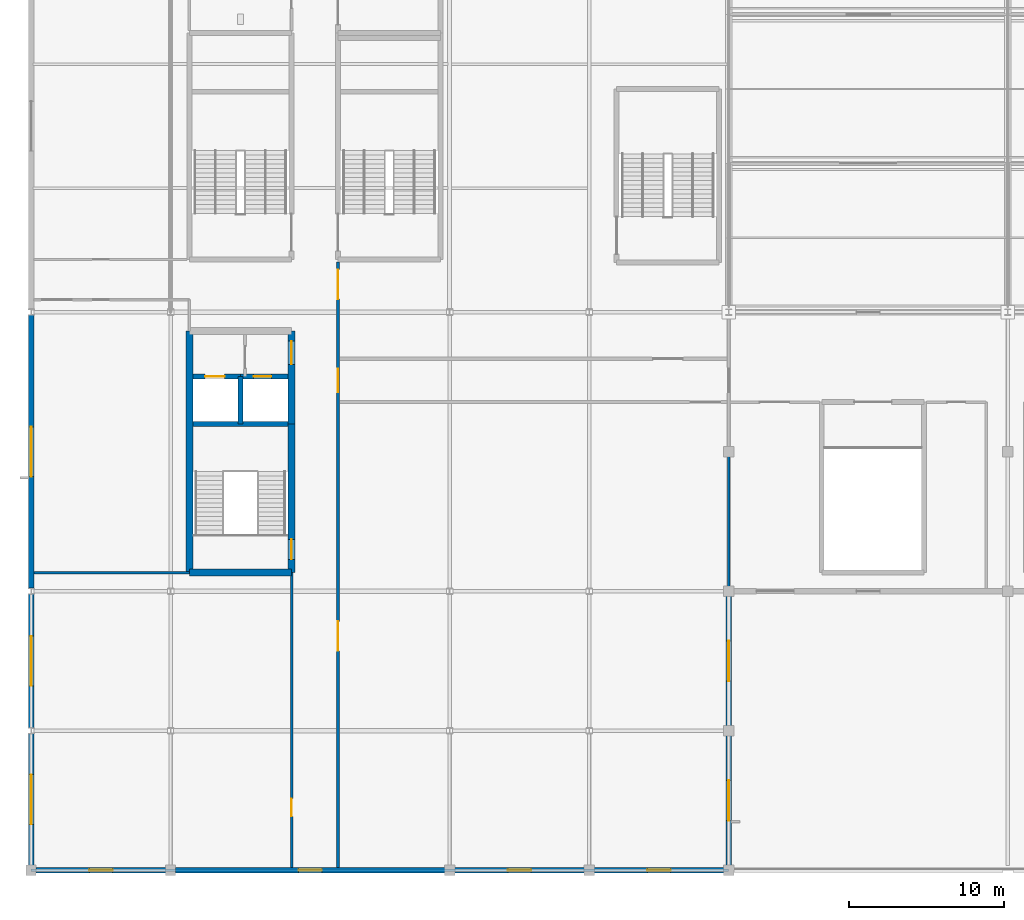
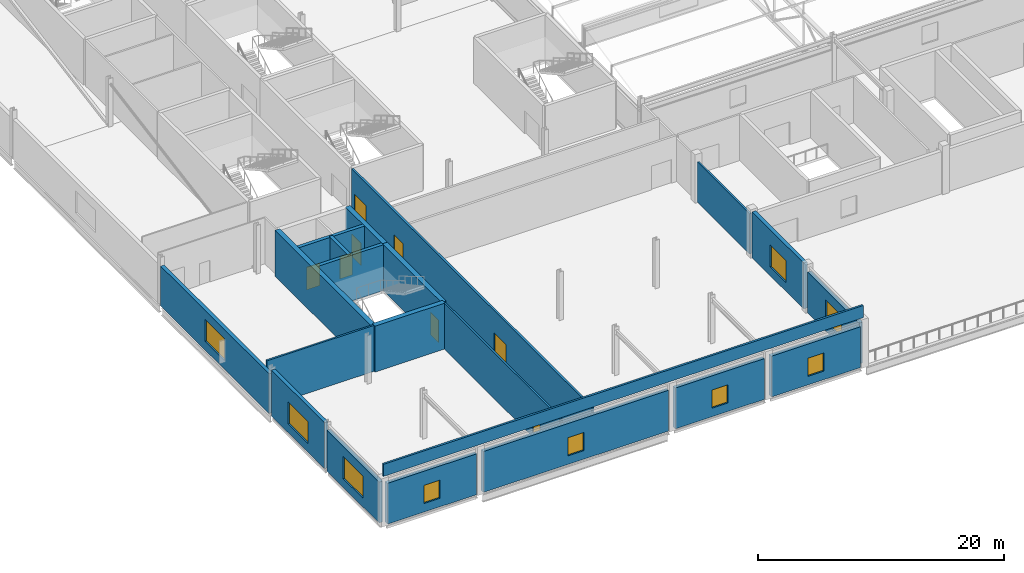
# One storey, part 94 of 136: 22 walls, 9 windows, 8 doors, 17 openings.
"""IFC4 building model written with IfcOpenShell, lengths in metres."""

import ifcopenshell
import ifcopenshell.guid

model = None  # the IFC model being written
_history = None  # IfcOwnerHistory: only IFC2X3 demands one
_inside = {}  # id of a spatial element -> (the spatial element, [elements in it])
_under = {}  # id of a project, library or spatial element -> (it, [spatial elements below it])
_declared = {}  # id of a project -> (the project, [libraries it declares])
_typed = {}  # id of a type object -> (the type object, [elements of that type])
_made_of = {}  # id of a material, layer set ... -> (it, [elements and type objects made of it])


def new_model(schema):
    """Start an empty IFC model of exactly this schema.

    Asked for "IFC4X3", IfcOpenShell would pick the latest addendum, in which some entities
    have other attributes; the version numbers below select the first issue.
    IFC2X3 requires an IfcOwnerHistory on every rooted entity: one is made here for all.
    """
    global model, _history
    if schema == "IFC4X3":
        model = ifcopenshell.file(schema_version=(4, 3, 0, 0))
    else:
        model = ifcopenshell.file(schema=schema)
    _inside.clear()
    _under.clear()
    _declared.clear()
    _typed.clear()
    _made_of.clear()
    _history = None
    if model.schema == "IFC2X3":
        org = make("IfcOrganization", Name="unknown")
        user = make(
            "IfcPersonAndOrganization",
            ThePerson=make("IfcPerson", FamilyName="unknown"),
            TheOrganization=org,
        )
        app = make(
            "IfcApplication",
            ApplicationDeveloper=org,
            Version="unknown",
            ApplicationFullName="unknown",
            ApplicationIdentifier="unknown",
        )
        _history = make(
            "IfcOwnerHistory",
            OwningUser=user,
            OwningApplication=app,
            ChangeAction="ADDED",
            CreationDate=0,
        )
    return model


def make(cls, **values):
    """One entity of the class cls with the attributes given. An attribute that is None is left unset."""
    return model.create_entity(
        cls, **{name: value for name, value in values.items() if value is not None}
    )


def rooted(cls, **values):
    """An entity with a GlobalId (a new one), such as an element, a storey or a relation."""
    return make(cls, GlobalId=ifcopenshell.guid.new(), OwnerHistory=_history, **values)


def si_unit(unit_type, name, prefix=None):
    """IfcSIUnit, for example si_unit("LENGTHUNIT", "METRE", prefix="MILLI")."""
    return make("IfcSIUnit", UnitType=unit_type, Prefix=prefix, Name=name)


def assignment(units):
    """IfcUnitAssignment: the units of a project."""
    return None if units is None else make("IfcUnitAssignment", Units=units)


def point(xyz):
    """IfcCartesianPoint."""
    return None if xyz is None else make("IfcCartesianPoint", Coordinates=xyz)


def direction(xyz):
    """IfcDirection."""
    return None if xyz is None else make("IfcDirection", DirectionRatios=xyz)


def frame(location, z_axis=None, x_axis=None):
    """IfcAxis2Placement3D, a coordinate frame: its origin and axes. An axis left out is left unset."""
    return make(
        "IfcAxis2Placement3D",
        Location=point(location),
        Axis=direction(z_axis),
        RefDirection=direction(x_axis),
    )


def frame_2d(location, x_axis=None):
    """IfcAxis2Placement2D, a coordinate frame in the plane: its origin and x axis."""
    return make(
        "IfcAxis2Placement2D", Location=point(location), RefDirection=direction(x_axis)
    )


def origin():
    """The frame at (0, 0, 0) with its axes left unset."""
    return frame((0.0, 0.0, 0.0))


def place(relative_to, where):
    """IfcLocalPlacement: puts the frame where relative to a parent placement (None: the world)."""
    return make(
        "IfcLocalPlacement", PlacementRelTo=relative_to, RelativePlacement=where
    )


def context(
    kind, dimensions, precision=None, world=None, true_north=None, identifier=None
):
    """IfcGeometricRepresentationContext, for example the 3D "Model" context."""
    return make(
        "IfcGeometricRepresentationContext",
        ContextIdentifier=identifier,
        ContextType=kind,
        CoordinateSpaceDimension=dimensions,
        Precision=precision,
        WorldCoordinateSystem=world,
        TrueNorth=true_north,
    )


def subcontext(parent, identifier, kind, view, scale=None):
    """IfcGeometricRepresentationSubContext, for example "Body" below "Model"."""
    return make(
        "IfcGeometricRepresentationSubContext",
        ContextIdentifier=identifier,
        ContextType=kind,
        ParentContext=parent,
        TargetScale=scale,
        TargetView=view,
    )


def project(units=None, contexts=None):
    """IfcProject with its units and contexts."""
    return rooted(
        "IfcProject",
        Name="project",
        RepresentationContexts=contexts,
        UnitsInContext=assignment(units),
    )


def spatial(cls, under=None, at=None, **own):
    """A site, building, storey or space (cls), placed at a placement, below another one or the project."""
    s = rooted(cls, ObjectPlacement=at, **own)
    if under is not None:
        _under.setdefault(under.id(), (under, []))[1].append(s)
    return s


def profile(cls, at=None, kind="AREA", **sizes):
    """A parametric profile (cls). Its sizes go by their IFC names, for example OverallWidth=200.0."""
    return make(cls, ProfileType=kind, Position=at, **sizes)


def rectangle(**sizes):
    """IfcRectangleProfileDef."""
    return profile("IfcRectangleProfileDef", **sizes)


def extrude(swept, where, along, depth):
    """IfcExtrudedAreaSolid: the profile swept, set in the frame where, extruded along a direction by depth."""
    return make(
        "IfcExtrudedAreaSolid",
        SweptArea=swept,
        Position=where,
        ExtrudedDirection=direction(along),
        Depth=depth,
    )


def shape(context_of_items, identifier, shape_type, items):
    """IfcShapeRepresentation: the items that make up one representation, for example the "Body"."""
    return make(
        "IfcShapeRepresentation",
        ContextOfItems=context_of_items,
        RepresentationIdentifier=identifier,
        RepresentationType=shape_type,
        Items=items,
    )


def material(Name=None, Category=None):
    """IfcMaterial."""
    return make("IfcMaterial", Name=Name, Category=Category)


def layer(
    of_material, thickness, ventilated=None, Name=None, Category=None, Priority=None
):
    """IfcMaterialLayer: one layer of a wall or slab, of a material (None: an air gap)."""
    return make(
        "IfcMaterialLayer",
        Material=of_material,
        LayerThickness=thickness,
        IsVentilated=ventilated,
        Name=Name,
        Category=Category,
        Priority=Priority,
    )


def layer_set(layers, Name=None):
    """IfcMaterialLayerSet."""
    return make("IfcMaterialLayerSet", MaterialLayers=layers, LayerSetName=Name)


def made_of(thing, what):
    """Note that an element or type object is made of a material, layer set ...; save() writes the relation."""
    if what is not None:
        _made_of.setdefault(what.id(), (what, []))[1].append(thing)
    return thing


def type_object(cls, material=None, **own):
    """A type object (cls), such as IfcWallType, which elements share."""
    return made_of(rooted(cls, **own), material)


def element(
    cls,
    number,
    at=None,
    inside=None,
    cuts=None,
    type_object=None,
    material=None,
    context=None,
    identifier="Body",
    shape_type=None,
    held_by="IfcProductDefinitionShape",
    body=None,
    shapes=None,
    **own,
):
    """One element of the class cls, such as IfcWall. Its Tag is "e" and its number.

    at: its placement. inside: the storey or other place that contains it. cuts: it is an
    opening in that element (IfcRelVoidsElement). A single representation is given by context,
    identifier, shape_type and body (its items); several are given by shapes. held_by: the class
    of the entity that holds the representations. save() writes the other relations.
    """
    e = rooted(cls, Tag="e%d" % number, ObjectPlacement=at, **own)
    if body is not None:
        shapes = [shape(context, identifier, shape_type, body)]
    if shapes is not None:
        e.Representation = make(held_by, Representations=shapes)
    if inside is not None:
        _inside.setdefault(inside.id(), (inside, []))[1].append(e)
    if cuts is not None:
        rooted(
            "IfcRelVoidsElement", RelatingBuildingElement=cuts, RelatedOpeningElement=e
        )
    if type_object is not None:
        _typed.setdefault(type_object.id(), (type_object, []))[1].append(e)
    return made_of(e, material)


def fill(opening, filler):
    """IfcRelFillsElement: the door or window that sits in an opening."""
    return rooted(
        "IfcRelFillsElement",
        RelatingOpeningElement=opening,
        RelatedBuildingElement=filler,
    )


def aggregate(whole, parts):
    """IfcRelAggregates: a whole, such as a stair, and the parts it consists of."""
    return rooted("IfcRelAggregates", RelatingObject=whole, RelatedObjects=parts)


def save(model, path):
    """Write the relations noted so far, then the file.

    IfcRelAggregates (storeys below a building ...), IfcRelContainedInSpatialStructure (elements
    in a storey), IfcRelDefinesByType, IfcRelAssociatesMaterial and IfcRelDeclares: one each for
    every whole, place, type object, material and project.
    """
    for whole, parts in _under.values():
        aggregate(whole, parts)
    for where, things in _inside.values():
        rooted(
            "IfcRelContainedInSpatialStructure",
            RelatedElements=things,
            RelatingStructure=where,
        )
    for kind, things in _typed.values():
        rooted("IfcRelDefinesByType", RelatedObjects=things, RelatingType=kind)
    for what, things in _made_of.values():
        rooted("IfcRelAssociatesMaterial", RelatedObjects=things, RelatingMaterial=what)
    for by, libraries in _declared.values():
        rooted("IfcRelDeclares", RelatingContext=by, RelatedDefinitions=libraries)
    model.write(path)


model = new_model("IFC4")

# Units and contexts
model_context = context("Model", 3, precision=1e-05, world=origin(), true_north=direction((0.0, 1.0)))
body_context = subcontext(model_context, "Body", "Model", "MODEL_VIEW")
ifc_project = project(units=[si_unit("LENGTHUNIT", "METRE"), si_unit("AREAUNIT", "SQUARE_METRE"), si_unit("VOLUMEUNIT", "CUBIC_METRE"), si_unit("PLANEANGLEUNIT", "RADIAN"), si_unit("MASSUNIT", "GRAM", prefix="KILO")], contexts=[model_context])

# Site, building, storey
site_placement = place(None, origin())
site = spatial("IfcSite", under=ifc_project, at=site_placement, CompositionType="ELEMENT")
building_placement = place(site_placement, origin())
building = spatial("IfcBuilding", under=site, at=building_placement, Name="Kisiwana Market Hall", CompositionType="ELEMENT")
storey_placement = place(building_placement, frame((0.0, 0.0, 16.800048828125)))
storey = spatial("IfcBuildingStorey", under=building, at=storey_placement, Name="L03", CompositionType="ELEMENT", Elevation=16.800048828125)

# Wall, openings, doors
ifc_material_1 = material(Name="Masonry blockwork", Category="masonry")
ifc_layer_1 = layer(ifc_material_1, 0.199951171875, Name="Plastered fire compartment block wall")
ifc_layer_set_1 = layer_set([ifc_layer_1], Name="WL-COMP-200")
wall_type_1 = type_object("IfcWallType", Name="WL-COMP-200", PredefinedType="PARTITIONING", material=ifc_layer_set_1)
wall_1_placement = place(storey_placement, frame((19.800048828125, 0.169921875, 0.0), z_axis=(0.0, 0.0, 1.0), x_axis=(0.0, 1.0, 0.0)))
wall_1 = element("IfcWall", 1, at=wall_1_placement, inside=storey, type_object=wall_type_1, Name="Interior partition W-1461", PredefinedType="PARTITIONING", context=body_context, shape_type="SweptSolid", body=[
    extrude(rectangle(XDim=39.070068359375, YDim=0.199951171875, at=frame_2d((19.53515625, 0.0))), origin(), (0.0, 0.0, 1.0), 4.554931640625),
])
opening_1_placement = place(wall_1_placement, frame((13.97998046875, 0.0, 0.0)))
opening_1 = element("IfcOpeningElement", 2, at=opening_1_placement, cuts=wall_1, Name="Opening DR-L03-054", PredefinedType="OPENING", context=body_context, shape_type="SweptSolid", body=[
    extrude(rectangle(XDim=1.89990234375, YDim=2.35009765625, at=frame_2d((0.949951171875, 1.175048828125))), frame((0.0, 0.11181640625, 0.0), z_axis=(0.0, -1.0, 0.0), x_axis=(1.0, 0.0, 0.0)), (0.0, 0.0, 1.0), 0.223876953125),
])
opening_2_placement = place(wall_1_placement, frame((30.679931640625, 0.0, 0.0)))
opening_2 = element("IfcOpeningElement", 3, at=opening_2_placement, cuts=wall_1, Name="Opening DR-L03-055", PredefinedType="OPENING", context=body_context, shape_type="SweptSolid", body=[
    extrude(rectangle(XDim=1.5, YDim=2.199951171875, at=frame_2d((0.75, 1.10009765625))), frame((0.0, 0.11181640625, 0.0), z_axis=(0.0, -1.0, 0.0), x_axis=(1.0, 0.0, 0.0)), (0.0, 0.0, 1.0), 0.223876953125),
])
opening_3_placement = place(wall_1_placement, frame((36.679931640625, 0.0, 0.0)))
opening_3 = element("IfcOpeningElement", 4, at=opening_3_placement, cuts=wall_1, Name="Opening DR-L03-056", PredefinedType="OPENING", context=body_context, shape_type="SweptSolid", body=[
    extrude(rectangle(XDim=1.89990234375, YDim=2.35009765625, at=frame_2d((0.949951171875, 1.175048828125))), frame((0.0, 0.11181640625, 0.0), z_axis=(0.0, -1.0, 0.0), x_axis=(1.0, 0.0, 0.0)), (0.0, 0.0, 1.0), 0.223876953125),
])
ifc_material_2 = material(Name="Steel S275", Category="steel")
door_type_1 = type_object("IfcDoorType", Name="DR-CORR-FD60-1500", OperationType="DOUBLE_DOOR_SINGLE_SWING", PredefinedType="DOOR", material=ifc_material_2)
door_1_placement = place(opening_2_placement, origin())
door_1 = element("IfcDoor", 5, at=door_1_placement, inside=storey, type_object=door_type_1, Name="L03 W South Podium Link Corridor Door", OperationType="DOUBLE_DOOR_SINGLE_SWING", OverallHeight=2.199951171875, OverallWidth=1.5, PredefinedType="DOOR", context=body_context, shape_type="SweptSolid", body=[
    extrude(rectangle(XDim=1.5, YDim=2.199951171875, at=frame_2d((0.75, 1.10009765625))), frame((0.0, 0.02490234375, 0.0), z_axis=(0.0, -1.0, 0.0), x_axis=(1.0, 0.0, 0.0)), (0.0, 0.0, 1.0), 0.050048828125),
])
fill(opening_2, door_1)
ifc_material_3 = material(Name="Steel S275", Category="steel")
door_type_2 = type_object("IfcDoorType", Name="DR-HALL-1900", OperationType="DOUBLE_DOOR_SINGLE_SWING", PredefinedType="DOOR", material=ifc_material_3)
door_2_placement = place(opening_1_placement, origin())
door_2 = element("IfcDoor", 6, at=door_2_placement, inside=storey, type_object=door_type_2, Name="L03 W Conference Pre-Function Foyer Door", OperationType="DOUBLE_DOOR_SINGLE_SWING", OverallHeight=2.35009765625, OverallWidth=1.89990234375, PredefinedType="DOOR", context=body_context, shape_type="SweptSolid", body=[
    extrude(rectangle(XDim=1.89990234375, YDim=2.35009765625, at=frame_2d((0.949951171875, 1.175048828125))), frame((0.0, 0.02490234375, 0.0), z_axis=(0.0, -1.0, 0.0), x_axis=(1.0, 0.0, 0.0)), (0.0, 0.0, 1.0), 0.050048828125),
])
fill(opening_1, door_2)
door_3_placement = place(opening_3_placement, frame((1.89990234375, 0.0, 0.0), z_axis=(0.0, 0.0, 1.0), x_axis=(-1.0, 0.0, 0.0)))
door_3 = element("IfcDoor", 7, at=door_3_placement, inside=storey, type_object=door_type_2, Name="L03 W Civic Conference Hall Exit Door", OperationType="DOUBLE_DOOR_SINGLE_SWING", OverallHeight=2.35009765625, OverallWidth=1.89990234375, PredefinedType="DOOR", context=body_context, shape_type="SweptSolid", body=[
    extrude(rectangle(XDim=1.89990234375, YDim=2.35009765625, at=frame_2d((0.949951171875, 1.175048828125))), frame((0.0, 0.02490234375, 0.0), z_axis=(0.0, -1.0, 0.0), x_axis=(1.0, 0.0, 0.0)), (0.0, 0.0, 1.0), 0.050048828125),
])
fill(opening_3, door_3)

# Walls
ifc_material_4 = material(Name="Concrete C40/50", Category="concrete")
ifc_layer_2 = layer(ifc_material_4, 0.320068359375, Name="Reinforced concrete shaft wall")
ifc_layer_set_2 = layer_set([ifc_layer_2], Name="WL-CORE-320")
wall_type_2 = type_object("IfcWallType", Name="WL-CORE-320", PredefinedType="SHEAR", material=ifc_layer_set_2)
wall_2_placement = place(storey_placement, frame((10.425048828125, 28.784912109375, 0.0), z_axis=(0.0, 0.0, 1.0), x_axis=(1.0, 0.0, 0.0)))
element("IfcWall", 8, at=wall_2_placement, inside=storey, type_object=wall_type_2, Name="Core W2 shaft back shear wall W-1189", PredefinedType="SHEAR", context=body_context, shape_type="SweptSolid", body=[
    extrude(rectangle(XDim=6.14990234375, YDim=0.320068359375, at=frame_2d((3.074951171875, 0.0))), origin(), (0.0, 0.0, 1.0), 4.554931640625),
])
wall_3_placement = place(storey_placement, frame((13.5, 28.784912109375, 0.0), z_axis=(0.0, 0.0, 1.0), x_axis=(0.0, 1.0, 0.0)))
element("IfcWall", 9, at=wall_3_placement, inside=storey, type_object=wall_type_2, Name="Core W2 inter-shaft shear wall W-1190", PredefinedType="SHEAR", context=body_context, shape_type="SweptSolid", body=[
    extrude(rectangle(XDim=3.06005859375, YDim=0.320068359375, at=frame_2d((1.530029296875, 0.0))), origin(), (0.0, 0.0, 1.0), 4.554931640625),
])

# Wall, opening, door
wall_4_placement = place(storey_placement, frame((10.425048828125, 31.844970703125, 0.0), z_axis=(0.0, 0.0, 1.0), x_axis=(1.0, 0.0, 0.0)))
wall_4 = element("IfcWall", 10, at=wall_4_placement, inside=storey, type_object=wall_type_2, Name="Core W2 west lift front wall W-1191", PredefinedType="SHEAR", context=body_context, shape_type="SweptSolid", body=[
    extrude(rectangle(XDim=3.074951171875, YDim=0.320068359375, at=frame_2d((1.53759765625, 0.0))), origin(), (0.0, 0.0, 1.0), 4.554931640625),
])
opening_4_placement = place(wall_4_placement, frame((0.800048828125, 0.0, 0.0)))
opening_4 = element("IfcOpeningElement", 11, at=opening_4_placement, cuts=wall_4, Name="Opening LD-L03-001", PredefinedType="OPENING", context=body_context, shape_type="SweptSolid", body=[
    extrude(rectangle(XDim=1.25, YDim=2.25, at=frame_2d((0.625, 1.125))), frame((0.0, 0.171875, 0.0), z_axis=(0.0, -1.0, 0.0), x_axis=(1.0, 0.0, 0.0)), (0.0, 0.0, 1.0), 0.343994140625),
])
ifc_material_5 = material(Name="Steel S275", Category="steel")
door_type_3 = type_object("IfcDoorType", Name="DR-LIFT-FFL-1250", OperationType="DOUBLE_DOOR_SLIDING", PredefinedType="DOOR", material=ifc_material_5)
door_4_placement = place(opening_4_placement, origin())
door_4 = element("IfcDoor", 12, at=door_4_placement, inside=storey, type_object=door_type_3, Name="Lift Landing Door FFL-01 (L03)", OperationType="DOUBLE_DOOR_SLIDING", OverallHeight=2.25, OverallWidth=1.25, PredefinedType="DOOR", context=body_context, shape_type="SweptSolid", body=[
    extrude(rectangle(XDim=1.25, YDim=2.25, at=frame_2d((0.625, 1.125))), frame((0.0, 0.02490234375, 0.0), z_axis=(0.0, -1.0, 0.0), x_axis=(1.0, 0.0, 0.0)), (0.0, 0.0, 1.0), 0.050048828125),
])
fill(opening_4, door_4)

wall_5_placement = place(storey_placement, frame((13.5, 31.844970703125, 0.0), z_axis=(0.0, 0.0, 1.0), x_axis=(1.0, 0.0, 0.0)))
wall_5 = element("IfcWall", 13, at=wall_5_placement, inside=storey, type_object=wall_type_2, Name="Core W2 east lift front wall W-1192", PredefinedType="SHEAR", context=body_context, shape_type="SweptSolid", body=[
    extrude(rectangle(XDim=3.074951171875, YDim=0.320068359375, at=frame_2d((1.53759765625, 0.0))), origin(), (0.0, 0.0, 1.0), 4.554931640625),
])
opening_5_placement = place(wall_5_placement, frame((0.85009765625, 0.0, 0.0)))
opening_5 = element("IfcOpeningElement", 14, at=opening_5_placement, cuts=wall_5, Name="Opening LD-L03-002", PredefinedType="OPENING", context=body_context, shape_type="SweptSolid", body=[
    extrude(rectangle(XDim=1.14990234375, YDim=2.199951171875, at=frame_2d((0.574951171875, 1.10009765625))), frame((0.0, 0.171875, 0.0), z_axis=(0.0, -1.0, 0.0), x_axis=(1.0, 0.0, 0.0)), (0.0, 0.0, 1.0), 0.343994140625),
])
ifc_material_6 = material(Name="Steel S275", Category="steel")
door_type_4 = type_object("IfcDoorType", Name="DR-LIFT-PAX-1150", OperationType="DOUBLE_DOOR_SLIDING", PredefinedType="DOOR", material=ifc_material_6)
door_5_placement = place(opening_5_placement, origin())
door_5 = element("IfcDoor", 15, at=door_5_placement, inside=storey, type_object=door_type_4, Name="Lift Landing Door LP-01 (L03)", OperationType="DOUBLE_DOOR_SLIDING", OverallHeight=2.199951171875, OverallWidth=1.14990234375, PredefinedType="DOOR", context=body_context, shape_type="SweptSolid", body=[
    extrude(rectangle(XDim=1.14990234375, YDim=2.199951171875, at=frame_2d((0.574951171875, 1.10009765625))), frame((0.0, 0.02490234375, 0.0), z_axis=(0.0, -1.0, 0.0), x_axis=(1.0, 0.0, 0.0)), (0.0, 0.0, 1.0), 0.050048828125),
])
fill(opening_5, door_5)

# Walls
ifc_material_7 = material(Name="Concrete C40/50", Category="concrete")
ifc_layer_3 = layer(ifc_material_7, 0.449951171875, Name="Reinforced concrete core wall")
ifc_layer_set_3 = layer_set([ifc_layer_3], Name="WL-CORE-450")
wall_type_3 = type_object("IfcWallType", Name="WL-CORE-450", PredefinedType="SHEAR", material=ifc_layer_set_3)
wall_6_placement = place(storey_placement, frame((10.199951171875, 19.199951171875, 0.0), z_axis=(0.0, 0.0, 1.0), x_axis=(1.0, 0.0, 0.0)))
element("IfcWall", 16, at=wall_6_placement, inside=storey, type_object=wall_type_3, Name="Core W2 south shear wall W-1184", PredefinedType="SHEAR", context=body_context, shape_type="SweptSolid", body=[
    extrude(rectangle(XDim=6.60009765625, YDim=0.449951171875, at=frame_2d((3.300048828125, 0.0))), origin(), (0.0, 0.0, 1.0), 4.554931640625),
])
wall_7_placement = place(storey_placement, frame((10.199951171875, 19.199951171875, 0.0), z_axis=(0.0, 0.0, 1.0), x_axis=(0.0, 1.0, 0.0)))
element("IfcWall", 17, at=wall_7_placement, inside=storey, type_object=wall_type_3, Name="Core W2 outer shear wall W-1186", PredefinedType="SHEAR", context=body_context, shape_type="SweptSolid", body=[
    extrude(rectangle(XDim=15.60009765625, YDim=0.449951171875, at=frame_2d((7.800048828125, 0.0))), origin(), (0.0, 0.0, 1.0), 4.554931640625),
])

# Wall, opening, door
wall_8_placement = place(storey_placement, frame((16.800048828125, 19.199951171875, 0.0), z_axis=(0.0, 0.0, 1.0), x_axis=(0.0, 1.0, 0.0)))
wall_8 = element("IfcWall", 18, at=wall_8_placement, inside=storey, type_object=wall_type_3, Name="Core W2 stair corridor shear wall W-1187", PredefinedType="SHEAR", context=body_context, shape_type="SweptSolid", body=[
    extrude(rectangle(XDim=9.5849609375, YDim=0.449951171875, at=frame_2d((4.79248046875, 0.0))), origin(), (0.0, 0.0, 1.0), 4.554931640625),
])
opening_6_placement = place(wall_8_placement, frame((0.85009765625, 0.0, 0.0)))
opening_6 = element("IfcOpeningElement", 19, at=opening_6_placement, cuts=wall_8, Name="Opening DR-L03-001", PredefinedType="OPENING", context=body_context, shape_type="SweptSolid", body=[
    extrude(rectangle(XDim=1.300048828125, YDim=2.199951171875, at=frame_2d((0.64990234375, 1.10009765625))), frame((0.0, 0.23681640625, 0.0), z_axis=(0.0, -1.0, 0.0), x_axis=(1.0, 0.0, 0.0)), (0.0, 0.0, 1.0), 0.473876953125),
])
ifc_material_8 = material(Name="Steel S275", Category="steel")
door_type_5 = type_object("IfcDoorType", Name="DR-STAIR-FD120-1300", OperationType="NOTDEFINED", PredefinedType="DOOR", material=ifc_material_8)
door_6_placement = place(opening_6_placement, origin())
door_6 = element("IfcDoor", 20, at=door_6_placement, inside=storey, type_object=door_type_5, Name="Escape Stair W2 Fire Door (L03)", OperationType="SINGLE_SWING_LEFT", OverallHeight=2.199951171875, OverallWidth=1.300048828125, PredefinedType="DOOR", context=body_context, shape_type="SweptSolid", body=[
    extrude(rectangle(XDim=1.300048828125, YDim=2.199951171875, at=frame_2d((0.64990234375, 1.10009765625))), frame((0.0, 0.02490234375, 0.0), z_axis=(0.0, -1.0, 0.0), x_axis=(1.0, 0.0, 0.0)), (0.0, 0.0, 1.0), 0.050048828125),
])
fill(opening_6, door_6)

wall_9_placement = place(storey_placement, frame((16.800048828125, 28.784912109375, 0.0), z_axis=(0.0, 0.0, 1.0), x_axis=(0.0, 1.0, 0.0)))
wall_9 = element("IfcWall", 21, at=wall_9_placement, inside=storey, type_object=wall_type_3, Name="Core W2 lobby corridor shear wall W-1188", PredefinedType="SHEAR", context=body_context, shape_type="SweptSolid", body=[
    extrude(rectangle(XDim=6.01513671875, YDim=0.449951171875, at=frame_2d((3.007568359375, 0.0))), origin(), (0.0, 0.0, 1.0), 4.554931640625),
])
opening_7_placement = place(wall_9_placement, frame((3.85009765625, 0.0, 0.0)))
opening_7 = element("IfcOpeningElement", 22, at=opening_7_placement, cuts=wall_9, Name="Opening DR-L03-002", PredefinedType="OPENING", context=body_context, shape_type="SweptSolid", body=[
    extrude(rectangle(XDim=1.5, YDim=2.199951171875, at=frame_2d((0.75, 1.10009765625))), frame((0.0, 0.23681640625, 0.0), z_axis=(0.0, -1.0, 0.0), x_axis=(1.0, 0.0, 0.0)), (0.0, 0.0, 1.0), 0.473876953125),
])
door_7_placement = place(opening_7_placement, frame((1.5, 0.0, 0.0), z_axis=(0.0, 0.0, 1.0), x_axis=(-1.0, 0.0, 0.0)))
door_7 = element("IfcDoor", 23, at=door_7_placement, inside=storey, type_object=door_type_1, Name="Passenger Lift Lobby W2 Smoke Door (L03)", OperationType="DOUBLE_DOOR_SINGLE_SWING", OverallHeight=2.199951171875, OverallWidth=1.5, PredefinedType="DOOR", context=body_context, shape_type="SweptSolid", body=[
    extrude(rectangle(XDim=1.5, YDim=2.199951171875, at=frame_2d((0.75, 1.10009765625))), frame((0.0, 0.02490234375, 0.0), z_axis=(0.0, -1.0, 0.0), x_axis=(1.0, 0.0, 0.0)), (0.0, 0.0, 1.0), 0.050048828125),
])
fill(opening_7, door_7)

# Wall
ifc_material_9 = material(Name="Masonry blockwork", Category="masonry")
ifc_layer_4 = layer(ifc_material_9, 0.169921875, Name="Protected corridor partition")
ifc_layer_set_4 = layer_set([ifc_layer_4], Name="WL-CORR-170")
wall_type_4 = type_object("IfcWallType", Name="WL-CORR-170", PredefinedType="PARTITIONING", material=ifc_layer_set_4)
wall_10_placement = place(storey_placement, frame((0.169921875, 19.199951171875, 0.0), z_axis=(0.0, 0.0, 1.0), x_axis=(1.0, 0.0, 0.0)))
element("IfcWall", 24, at=wall_10_placement, inside=storey, type_object=wall_type_4, Name="Interior partition W-1448", PredefinedType="PARTITIONING", context=body_context, shape_type="SweptSolid", body=[
    extrude(rectangle(XDim=10.030029296875, YDim=0.169921875, at=frame_2d((5.01513671875, 0.0))), origin(), (0.0, 0.0, 1.0), 4.554931640625),
])

# Wall, opening, door
wall_11_placement = place(storey_placement, frame((16.800048828125, 0.169921875, 0.0), z_axis=(0.0, 0.0, 1.0), x_axis=(0.0, 1.0, 0.0)))
wall_11 = element("IfcWall", 25, at=wall_11_placement, inside=storey, type_object=wall_type_4, Name="Interior partition W-1454", PredefinedType="PARTITIONING", context=body_context, shape_type="SweptSolid", body=[
    extrude(rectangle(XDim=19.030029296875, YDim=0.169921875, at=frame_2d((9.51513671875, 0.0))), origin(), (0.0, 0.0, 1.0), 4.554931640625),
])
opening_8_placement = place(wall_11_placement, frame((3.300048828125, 0.0, 0.0)))
opening_8 = element("IfcOpeningElement", 26, at=opening_8_placement, cuts=wall_11, Name="Opening DR-L03-050", PredefinedType="OPENING", context=body_context, shape_type="SweptSolid", body=[
    extrude(rectangle(XDim=1.14990234375, YDim=2.14990234375, at=frame_2d((0.574951171875, 1.074951171875))), frame((0.0, 0.096923828125, 0.0), z_axis=(0.0, -1.0, 0.0), x_axis=(1.0, 0.0, 0.0)), (0.0, 0.0, 1.0), 0.19384765625),
])
ifc_material_10 = material(Name="Aluminium alloy 6063-T6", Category="aluminium")
door_type_6 = type_object("IfcDoorType", Name="DR-MEET-1150", OperationType="NOTDEFINED", PredefinedType="DOOR", material=ifc_material_10)
door_8_placement = place(opening_8_placement, origin())
door_8 = element("IfcDoor", 27, at=door_8_placement, inside=storey, type_object=door_type_6, Name="L03 W Corner Office Suite South Door", OperationType="SINGLE_SWING_LEFT", OverallHeight=2.14990234375, OverallWidth=1.14990234375, PredefinedType="DOOR", context=body_context, shape_type="SweptSolid", body=[
    extrude(rectangle(XDim=1.14990234375, YDim=2.14990234375, at=frame_2d((0.574951171875, 1.074951171875))), frame((0.0, 0.02490234375, 0.0), z_axis=(0.0, -1.0, 0.0), x_axis=(1.0, 0.0, 0.0)), (0.0, 0.0, 1.0), 0.050048828125),
])
fill(opening_8, door_8)

# Wall
wall_12_placement = place(storey_placement, frame((45.0, 18.219970703125, 0.0), z_axis=(0.0, 0.0, 1.0), x_axis=(0.0, 1.0, 0.0)))
element("IfcWall", 28, at=wall_12_placement, inside=storey, type_object=wall_type_4, Name="Interior partition W-1463", PredefinedType="PARTITIONING", context=body_context, shape_type="SweptSolid", body=[
    extrude(rectangle(XDim=8.56005859375, YDim=0.169921875, at=frame_2d((4.280029296875, 0.0))), origin(), (0.0, 0.0, 1.0), 4.001953125),
])

# Wall, opening, window
ifc_material_11 = material(Name="Concrete C40/50 precast", Category="concrete")
ifc_layer_5 = layer(ifc_material_11, 0.14990234375, Name="Precast architectural concrete spandrel")
ifc_material_12 = material(Name="Mineral wool insulation")
ifc_layer_6 = layer(ifc_material_12, 0.090087890625, Name="Rockwool thermal insulation")
ifc_material_13 = material(Name="Masonry blockwork", Category="masonry")
ifc_layer_7 = layer(ifc_material_13, 0.10009765625, Name="Inner masonry block leaf")
ifc_layer_set_5 = layer_set([ifc_layer_5, ifc_layer_6, ifc_layer_7], Name="WL-EXT-PREC-340")
wall_type_5 = type_object("IfcWallType", Name="WL-EXT-PREC-340", PredefinedType="STANDARD", material=ifc_layer_set_5)
wall_13_placement = place(storey_placement, frame((0.31689453125, 0.0, 0.0), z_axis=(0.0, 0.0, 1.0), x_axis=(1.0, 0.0, 0.0)))
wall_13 = element("IfcWall", 29, at=wall_13_placement, inside=storey, type_object=wall_type_5, Name="Exterior wall W-1338", PredefinedType="STANDARD", context=body_context, shape_type="SweptSolid", body=[
    extrude(rectangle(XDim=8.3662109375, YDim=0.340087890625, at=frame_2d((4.18310546875, 0.0))), origin(), (0.0, 0.0, 1.0), 4.0478515625),
])
opening_9_placement = place(wall_13_placement, frame((3.43310546875, 0.0, 0.85009765625)))
opening_9 = element("IfcOpeningElement", 30, at=opening_9_placement, cuts=wall_13, Name="Opening WN-14", PredefinedType="OPENING", context=body_context, shape_type="SweptSolid", body=[
    extrude(rectangle(XDim=1.5, YDim=1.800048828125, at=frame_2d((0.75, 0.89990234375))), frame((0.0, 0.18212890625, 0.0), z_axis=(0.0, -1.0, 0.0), x_axis=(1.0, 0.0, 0.0)), (0.0, 0.0, 1.0), 0.364013671875),
])
ifc_material_14 = material(Name="Double-glazed solar-control low-E IGU", Category="glass")
window_type_1 = type_object("IfcWindowType", Name="WN-POD-1500x1800", PartitioningType="SINGLE_PANEL", PredefinedType="WINDOW", material=ifc_material_14)
window_1_placement = place(opening_9_placement, origin())
window_1 = element("IfcWindow", 31, at=window_1_placement, inside=storey, type_object=window_type_1, Name="Exterior window WN-070", OverallHeight=1.800048828125, OverallWidth=1.5, PartitioningType="SINGLE_PANEL", PredefinedType="WINDOW", context=body_context, shape_type="SweptSolid", body=[
    extrude(rectangle(XDim=1.5, YDim=1.800048828125, at=frame_2d((0.75, 0.89990234375))), frame((0.0, 0.030029296875, 0.0), z_axis=(0.0, -1.0, 0.0), x_axis=(1.0, 0.0, 0.0)), (0.0, 0.0, 1.0), 0.06005859375),
])
fill(opening_9, window_1)

wall_14_placement = place(storey_placement, frame((9.31689453125, 0.0, 0.0), z_axis=(0.0, 0.0, 1.0), x_axis=(1.0, 0.0, 0.0)))
wall_14 = element("IfcWall", 32, at=wall_14_placement, inside=storey, type_object=wall_type_5, Name="Exterior wall W-1339", PredefinedType="STANDARD", context=body_context, shape_type="SweptSolid", body=[
    extrude(rectangle(XDim=17.3662109375, YDim=0.340087890625, at=frame_2d((8.68310546875, 0.0))), origin(), (0.0, 0.0, 1.0), 4.0478515625),
])
opening_10_placement = place(wall_14_placement, frame((7.93310546875, 0.0, 0.85009765625)))
opening_10 = element("IfcOpeningElement", 33, at=opening_10_placement, cuts=wall_14, Name="Opening WN-14", PredefinedType="OPENING", context=body_context, shape_type="SweptSolid", body=[
    extrude(rectangle(XDim=1.5, YDim=1.800048828125, at=frame_2d((0.75, 0.89990234375))), frame((0.0, 0.18212890625, 0.0), z_axis=(0.0, -1.0, 0.0), x_axis=(1.0, 0.0, 0.0)), (0.0, 0.0, 1.0), 0.364013671875),
])
window_2_placement = place(opening_10_placement, origin())
window_2 = element("IfcWindow", 34, at=window_2_placement, inside=storey, type_object=window_type_1, Name="Exterior window WN-071", OverallHeight=1.800048828125, OverallWidth=1.5, PartitioningType="SINGLE_PANEL", PredefinedType="WINDOW", context=body_context, shape_type="SweptSolid", body=[
    extrude(rectangle(XDim=1.5, YDim=1.800048828125, at=frame_2d((0.75, 0.89990234375))), frame((0.0, 0.030029296875, 0.0), z_axis=(0.0, -1.0, 0.0), x_axis=(1.0, 0.0, 0.0)), (0.0, 0.0, 1.0), 0.06005859375),
])
fill(opening_10, window_2)

wall_15_placement = place(storey_placement, frame((27.31689453125, 0.0, 0.0), z_axis=(0.0, 0.0, 1.0), x_axis=(1.0, 0.0, 0.0)))
wall_15 = element("IfcWall", 35, at=wall_15_placement, inside=storey, type_object=wall_type_5, Name="Exterior wall W-1340", PredefinedType="STANDARD", context=body_context, shape_type="SweptSolid", body=[
    extrude(rectangle(XDim=8.3662109375, YDim=0.340087890625, at=frame_2d((4.18310546875, 0.0))), origin(), (0.0, 0.0, 1.0), 4.0478515625),
])
opening_11_placement = place(wall_15_placement, frame((3.43310546875, 0.0, 0.85009765625)))
opening_11 = element("IfcOpeningElement", 36, at=opening_11_placement, cuts=wall_15, Name="Opening WN-14", PredefinedType="OPENING", context=body_context, shape_type="SweptSolid", body=[
    extrude(rectangle(XDim=1.5, YDim=1.800048828125, at=frame_2d((0.75, 0.89990234375))), frame((0.0, 0.18212890625, 0.0), z_axis=(0.0, -1.0, 0.0), x_axis=(1.0, 0.0, 0.0)), (0.0, 0.0, 1.0), 0.364013671875),
])
window_3_placement = place(opening_11_placement, origin())
window_3 = element("IfcWindow", 37, at=window_3_placement, inside=storey, type_object=window_type_1, Name="Exterior window WN-072", OverallHeight=1.800048828125, OverallWidth=1.5, PartitioningType="SINGLE_PANEL", PredefinedType="WINDOW", context=body_context, shape_type="SweptSolid", body=[
    extrude(rectangle(XDim=1.5, YDim=1.800048828125, at=frame_2d((0.75, 0.89990234375))), frame((0.0, 0.030029296875, 0.0), z_axis=(0.0, -1.0, 0.0), x_axis=(1.0, 0.0, 0.0)), (0.0, 0.0, 1.0), 0.06005859375),
])
fill(opening_11, window_3)

wall_16_placement = place(storey_placement, frame((36.31689453125, 0.0, 0.0), z_axis=(0.0, 0.0, 1.0), x_axis=(1.0, 0.0, 0.0)))
wall_16 = element("IfcWall", 38, at=wall_16_placement, inside=storey, type_object=wall_type_5, Name="Exterior wall W-1341", PredefinedType="STANDARD", context=body_context, shape_type="SweptSolid", body=[
    extrude(rectangle(XDim=8.3662109375, YDim=0.340087890625, at=frame_2d((4.18310546875, 0.0))), origin(), (0.0, 0.0, 1.0), 4.0478515625),
])
opening_12_placement = place(wall_16_placement, frame((3.43310546875, 0.0, 0.85009765625)))
opening_12 = element("IfcOpeningElement", 39, at=opening_12_placement, cuts=wall_16, Name="Opening WN-14", PredefinedType="OPENING", context=body_context, shape_type="SweptSolid", body=[
    extrude(rectangle(XDim=1.5, YDim=1.800048828125, at=frame_2d((0.75, 0.89990234375))), frame((0.0, 0.18212890625, 0.0), z_axis=(0.0, -1.0, 0.0), x_axis=(1.0, 0.0, 0.0)), (0.0, 0.0, 1.0), 0.364013671875),
])
window_4_placement = place(opening_12_placement, origin())
window_4 = element("IfcWindow", 40, at=window_4_placement, inside=storey, type_object=window_type_1, Name="Exterior window WN-073", OverallHeight=1.800048828125, OverallWidth=1.5, PartitioningType="SINGLE_PANEL", PredefinedType="WINDOW", context=body_context, shape_type="SweptSolid", body=[
    extrude(rectangle(XDim=1.5, YDim=1.800048828125, at=frame_2d((0.75, 0.89990234375))), frame((0.0, 0.030029296875, 0.0), z_axis=(0.0, -1.0, 0.0), x_axis=(1.0, 0.0, 0.0)), (0.0, 0.0, 1.0), 0.06005859375),
])
fill(opening_12, window_4)

wall_17_placement = place(storey_placement, frame((0.0, 0.31689453125, 0.0), z_axis=(0.0, 0.0, 1.0), x_axis=(0.0, 1.0, 0.0)))
wall_17 = element("IfcWall", 41, at=wall_17_placement, inside=storey, type_object=wall_type_5, Name="Exterior wall W-1382", PredefinedType="STANDARD", context=body_context, shape_type="SweptSolid", body=[
    extrude(rectangle(XDim=8.49462890625, YDim=0.340087890625, at=frame_2d((4.247314453125, 0.0))), origin(), (0.0, 0.0, 1.0), 4.0478515625),
])
opening_13_placement = place(wall_17_placement, frame((2.647216796875, 0.0, 0.85009765625)))
opening_13 = element("IfcOpeningElement", 42, at=opening_13_placement, cuts=wall_17, Name="Opening WN-22", PredefinedType="OPENING", context=body_context, shape_type="SweptSolid", body=[
    extrude(rectangle(XDim=3.199951171875, YDim=2.199951171875, at=frame_2d((1.60009765625, 1.10009765625))), frame((0.0, 0.18212890625, 0.0), z_axis=(0.0, -1.0, 0.0), x_axis=(1.0, 0.0, 0.0)), (0.0, 0.0, 1.0), 0.364013671875),
])
ifc_material_15 = material(Name="Double-glazed solar-control low-E IGU", Category="glass")
window_type_2 = type_object("IfcWindowType", Name="WN-CONF-3200x2200", PartitioningType="SINGLE_PANEL", PredefinedType="WINDOW", material=ifc_material_15)
window_5_placement = place(opening_13_placement, origin())
window_5 = element("IfcWindow", 43, at=window_5_placement, inside=storey, type_object=window_type_2, Name="Exterior window WN-124", OverallHeight=2.199951171875, OverallWidth=3.199951171875, PartitioningType="SINGLE_PANEL", PredefinedType="WINDOW", context=body_context, shape_type="SweptSolid", body=[
    extrude(rectangle(XDim=3.199951171875, YDim=2.199951171875, at=frame_2d((1.60009765625, 1.10009765625))), frame((0.0, 0.030029296875, 0.0), z_axis=(0.0, -1.0, 0.0), x_axis=(1.0, 0.0, 0.0)), (0.0, 0.0, 1.0), 0.06005859375),
])
fill(opening_13, window_5)

wall_18_placement = place(storey_placement, frame((0.0, 9.1884765625, 0.0), z_axis=(0.0, 0.0, 1.0), x_axis=(0.0, 1.0, 0.0)))
wall_18 = element("IfcWall", 44, at=wall_18_placement, inside=storey, type_object=wall_type_5, Name="Exterior wall W-1383", PredefinedType="STANDARD", context=body_context, shape_type="SweptSolid", body=[
    extrude(rectangle(XDim=8.617431640625, YDim=0.340087890625, at=frame_2d((4.30859375, 0.0))), origin(), (0.0, 0.0, 1.0), 4.554931640625),
])
opening_14_placement = place(wall_18_placement, frame((2.708740234375, 0.0, 0.85009765625)))
opening_14 = element("IfcOpeningElement", 45, at=opening_14_placement, cuts=wall_18, Name="Opening WN-22", PredefinedType="OPENING", context=body_context, shape_type="SweptSolid", body=[
    extrude(rectangle(XDim=3.199951171875, YDim=2.199951171875, at=frame_2d((1.60009765625, 1.10009765625))), frame((0.0, 0.18212890625, 0.0), z_axis=(0.0, -1.0, 0.0), x_axis=(1.0, 0.0, 0.0)), (0.0, 0.0, 1.0), 0.364013671875),
])
window_6_placement = place(opening_14_placement, origin())
window_6 = element("IfcWindow", 46, at=window_6_placement, inside=storey, type_object=window_type_2, Name="Exterior window WN-125", OverallHeight=2.199951171875, OverallWidth=3.199951171875, PartitioningType="SINGLE_PANEL", PredefinedType="WINDOW", context=body_context, shape_type="SweptSolid", body=[
    extrude(rectangle(XDim=3.199951171875, YDim=2.199951171875, at=frame_2d((1.60009765625, 1.10009765625))), frame((0.0, 0.030029296875, 0.0), z_axis=(0.0, -1.0, 0.0), x_axis=(1.0, 0.0, 0.0)), (0.0, 0.0, 1.0), 0.06005859375),
])
fill(opening_14, window_6)

wall_19_placement = place(storey_placement, frame((0.0, 18.194091796875, 0.0), z_axis=(0.0, 0.0, 1.0), x_axis=(0.0, 1.0, 0.0)))
wall_19 = element("IfcWall", 47, at=wall_19_placement, inside=storey, type_object=wall_type_5, Name="Exterior wall W-1384", PredefinedType="STANDARD", context=body_context, shape_type="SweptSolid", body=[
    extrude(rectangle(XDim=17.61181640625, YDim=0.340087890625, at=frame_2d((8.805908203125, 0.0))), origin(), (0.0, 0.0, 1.0), 3.94287109375),
])
opening_15_placement = place(wall_19_placement, frame((7.2060546875, 0.0, 0.85009765625)))
opening_15 = element("IfcOpeningElement", 48, at=opening_15_placement, cuts=wall_19, Name="Opening WN-22", PredefinedType="OPENING", context=body_context, shape_type="SweptSolid", body=[
    extrude(rectangle(XDim=3.199951171875, YDim=2.199951171875, at=frame_2d((1.60009765625, 1.10009765625))), frame((0.0, 0.18212890625, 0.0), z_axis=(0.0, -1.0, 0.0), x_axis=(1.0, 0.0, 0.0)), (0.0, 0.0, 1.0), 0.364013671875),
])
window_7_placement = place(opening_15_placement, origin())
window_7 = element("IfcWindow", 49, at=window_7_placement, inside=storey, type_object=window_type_2, Name="Exterior window WN-126", OverallHeight=2.199951171875, OverallWidth=3.199951171875, PartitioningType="SINGLE_PANEL", PredefinedType="WINDOW", context=body_context, shape_type="SweptSolid", body=[
    extrude(rectangle(XDim=3.199951171875, YDim=2.199951171875, at=frame_2d((1.60009765625, 1.10009765625))), frame((0.0, 0.030029296875, 0.0), z_axis=(0.0, -1.0, 0.0), x_axis=(1.0, 0.0, 0.0)), (0.0, 0.0, 1.0), 0.06005859375),
])
fill(opening_15, window_7)

wall_20_placement = place(storey_placement, frame((45.0, 0.31689453125, 0.0), z_axis=(0.0, 0.0, 1.0), x_axis=(0.0, 1.0, 0.0)))
wall_20 = element("IfcWall", 50, at=wall_20_placement, inside=storey, type_object=wall_type_5, Name="Exterior wall W-1390", PredefinedType="STANDARD", context=body_context, shape_type="SweptSolid", body=[
    extrude(rectangle(XDim=8.3662109375, YDim=0.340087890625, at=frame_2d((4.18310546875, 0.0))), origin(), (0.0, 0.0, 1.0), 4.0478515625),
])
opening_16_placement = place(wall_20_placement, frame((2.883056640625, 0.0, 0.85009765625)))
opening_16 = element("IfcOpeningElement", 51, at=opening_16_placement, cuts=wall_20, Name="Opening WN-16", PredefinedType="OPENING", context=body_context, shape_type="SweptSolid", body=[
    extrude(rectangle(XDim=2.60009765625, YDim=2.199951171875, at=frame_2d((1.300048828125, 1.10009765625))), frame((0.0, 0.18212890625, 0.0), z_axis=(0.0, -1.0, 0.0), x_axis=(1.0, 0.0, 0.0)), (0.0, 0.0, 1.0), 0.364013671875),
])
ifc_material_16 = material(Name="Double-glazed solar-control low-E IGU", Category="glass")
window_type_3 = type_object("IfcWindowType", Name="WN-EXH-2600x2200", PartitioningType="SINGLE_PANEL", PredefinedType="WINDOW", material=ifc_material_16)
window_8_placement = place(opening_16_placement, origin())
window_8 = element("IfcWindow", 52, at=window_8_placement, inside=storey, type_object=window_type_3, Name="Exterior window WN-112", OverallHeight=2.199951171875, OverallWidth=2.60009765625, PartitioningType="SINGLE_PANEL", PredefinedType="WINDOW", context=body_context, shape_type="SweptSolid", body=[
    extrude(rectangle(XDim=2.60009765625, YDim=2.199951171875, at=frame_2d((1.300048828125, 1.10009765625))), frame((0.0, 0.030029296875, 0.0), z_axis=(0.0, -1.0, 0.0), x_axis=(1.0, 0.0, 0.0)), (0.0, 0.0, 1.0), 0.06005859375),
])
fill(opening_16, window_8)

wall_21_placement = place(storey_placement, frame((45.0, 9.31689453125, 0.0), z_axis=(0.0, 0.0, 1.0), x_axis=(0.0, 1.0, 0.0)))
wall_21 = element("IfcWall", 53, at=wall_21_placement, inside=storey, type_object=wall_type_5, Name="Exterior wall W-1391", PredefinedType="STANDARD", context=body_context, shape_type="SweptSolid", body=[
    extrude(rectangle(XDim=8.3662109375, YDim=0.340087890625, at=frame_2d((4.18310546875, 0.0))), origin(), (0.0, 0.0, 1.0), 4.554931640625),
])
opening_17_placement = place(wall_21_placement, frame((2.883056640625, 0.0, 0.85009765625)))
opening_17 = element("IfcOpeningElement", 54, at=opening_17_placement, cuts=wall_21, Name="Opening WN-16", PredefinedType="OPENING", context=body_context, shape_type="SweptSolid", body=[
    extrude(rectangle(XDim=2.60009765625, YDim=2.199951171875, at=frame_2d((1.300048828125, 1.10009765625))), frame((0.0, 0.18212890625, 0.0), z_axis=(0.0, -1.0, 0.0), x_axis=(1.0, 0.0, 0.0)), (0.0, 0.0, 1.0), 0.364013671875),
])
window_9_placement = place(opening_17_placement, origin())
window_9 = element("IfcWindow", 55, at=window_9_placement, inside=storey, type_object=window_type_3, Name="Exterior window WN-113", OverallHeight=2.199951171875, OverallWidth=2.60009765625, PartitioningType="SINGLE_PANEL", PredefinedType="WINDOW", context=body_context, shape_type="SweptSolid", body=[
    extrude(rectangle(XDim=2.60009765625, YDim=2.199951171875, at=frame_2d((1.300048828125, 1.10009765625))), frame((0.0, 0.030029296875, 0.0), z_axis=(0.0, -1.0, 0.0), x_axis=(1.0, 0.0, 0.0)), (0.0, 0.0, 1.0), 0.06005859375),
])
fill(opening_17, window_9)

# Wall
ifc_material_17 = material(Name="Concrete C40/50", Category="concrete")
ifc_layer_8 = layer(ifc_material_17, 0.18994140625, Name="Podium edge upstand parapet")
ifc_layer_set_6 = layer_set([ifc_layer_8], Name="WL-PARA-190")
wall_type_6 = type_object("IfcWallType", Name="WL-PARA-190", PredefinedType="PARAPET", material=ifc_layer_set_6)
wall_22_placement = place(storey_placement, frame((0.0, 0.0, 4.800048828125), z_axis=(0.0, 0.0, 1.0), x_axis=(1.0, 0.0, 0.0)))
element("IfcWall", 56, at=wall_22_placement, inside=storey, type_object=wall_type_6, Name="Roof parapet wall W-1510", PredefinedType="PARAPET", context=body_context, shape_type="SweptSolid", body=[
    extrude(rectangle(XDim=45.0, YDim=0.18994140625, at=frame_2d((22.5, 0.0))), origin(), (0.0, 0.0, 1.0), 1.199951171875),
])

save(model, "model.ifc")
